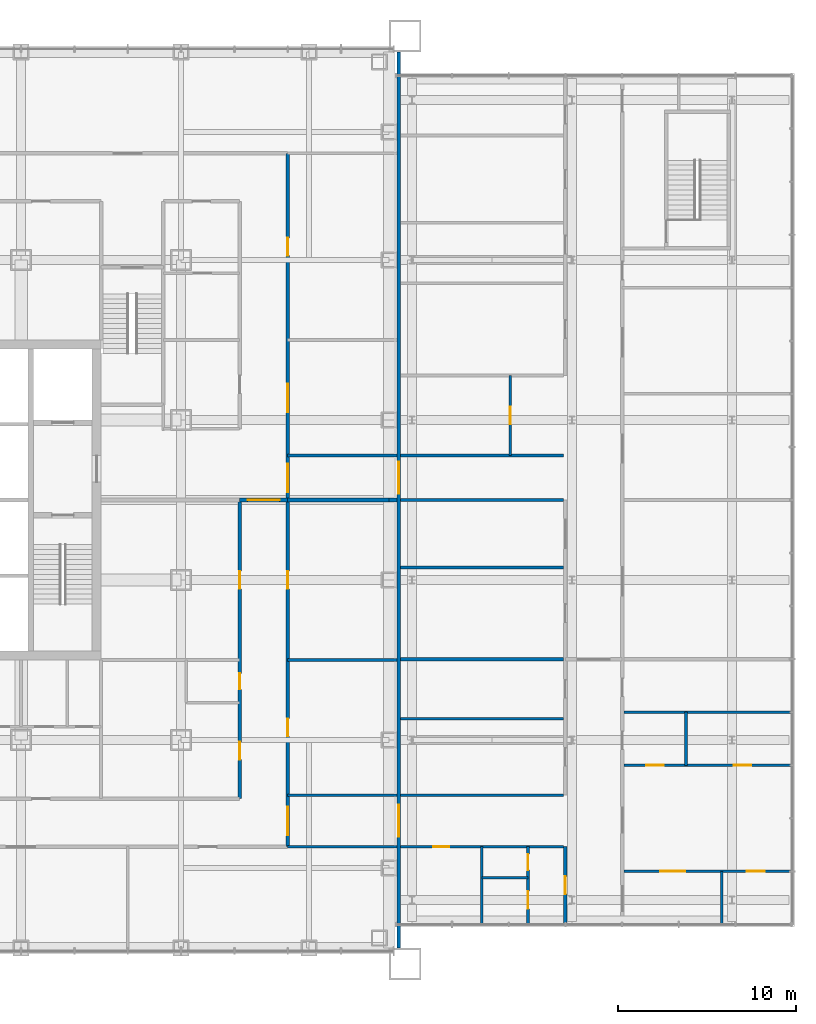
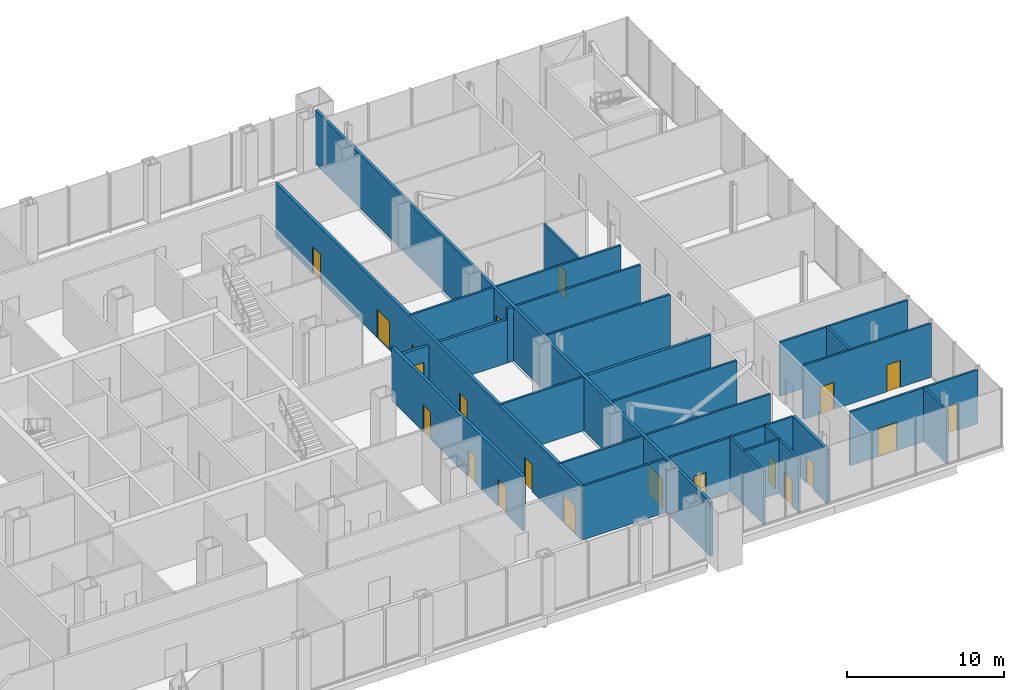
# One storey, part 19 of 25: 27 walls, 21 doors, 21 openings.
"""IFC4 building model written with IfcOpenShell, lengths in metres."""

from ifc_helpers import new_model, si_unit, direction, frame, frame_2d, origin, place, context, subcontext, project, spatial, rectangle, extrude, material, layer, layer_set, type_object, element, fill, save


model = new_model("IFC4")

# Units and contexts
model_context = context("Model", 3, precision=1e-05, world=origin(), true_north=direction((0.0, 1.0)))
body_context = subcontext(model_context, "Body", "Model", "MODEL_VIEW")
ifc_project = project(units=[si_unit("LENGTHUNIT", "METRE"), si_unit("AREAUNIT", "SQUARE_METRE"), si_unit("VOLUMEUNIT", "CUBIC_METRE"), si_unit("PLANEANGLEUNIT", "RADIAN"), si_unit("MASSUNIT", "GRAM", prefix="KILO")], contexts=[model_context])

# Site, building, storey
site_placement = place(None, origin())
site = spatial("IfcSite", under=ifc_project, at=site_placement, CompositionType="ELEMENT")
building_placement = place(site_placement, origin())
building = spatial("IfcBuilding", under=site, at=building_placement, Name="Malebo Sky Hospital", CompositionType="ELEMENT")
storey_placement = place(building_placement, frame((0.0, 0.0, 16.5)))
storey = spatial("IfcBuildingStorey", under=building, at=storey_placement, Name="L03", CompositionType="ELEMENT", Elevation=16.5)

# Wall, openings, doors
ifc_material_1 = material(Name="Gypsum board on steel studs", Category="steel")
ifc_layer_1 = layer(ifc_material_1, 0.199951171875)
ifc_layer_set_1 = layer_set([ifc_layer_1], Name="CORRIDOR WALL 200")
wall_type_1 = type_object("IfcWallType", Name="CORRIDOR WALL 200", PredefinedType="PARTITIONING", material=ifc_layer_set_1)
wall_1_placement = place(storey_placement, frame((79.5, 81.5, 0.0), z_axis=(0.0, 0.0, 1.0), x_axis=(0.0, -1.0, 0.0)))
wall_1 = element("IfcWall", 1, at=wall_1_placement, inside=storey, type_object=wall_type_1, Name="Corridor Wall 200 ECO", PredefinedType="PARTITIONING", context=body_context, shape_type="SweptSolid", body=[
    extrude(rectangle(XDim=39.0, YDim=0.199951171875, at=frame_2d((19.5, 0.0))), origin(), (0.0, 0.0, 1.0), 4.199951171875),
])
opening_1_placement = place(wall_1_placement, frame((4.75, 0.0, 0.0)))
opening_1 = element("IfcOpeningElement", 2, at=opening_1_placement, cuts=wall_1, Name="Opening D03", PredefinedType="OPENING", context=body_context, shape_type="SweptSolid", body=[
    extrude(rectangle(XDim=1.0, YDim=2.10009765625, at=frame_2d((0.5, 1.050048828125))), frame((0.0, 0.10986328125, 0.0), z_axis=(0.0, -1.0, 0.0), x_axis=(1.0, 0.0, 0.0)), (0.0, 0.0, 1.0), 0.219970703125),
])
opening_2_placement = place(wall_1_placement, frame((12.949951171875, 0.0, 0.0)))
opening_2 = element("IfcOpeningElement", 3, at=opening_2_placement, cuts=wall_1, Name="Opening D14", PredefinedType="OPENING", context=body_context, shape_type="SweptSolid", body=[
    extrude(rectangle(XDim=1.60009765625, YDim=2.199951171875, at=frame_2d((0.800048828125, 1.10009765625))), frame((0.0, 0.10986328125, 0.0), z_axis=(0.0, -1.0, 0.0), x_axis=(1.0, 0.0, 0.0)), (0.0, 0.0, 1.0), 0.219970703125),
])
opening_3_placement = place(wall_1_placement, frame((17.449951171875, 0.0, 0.0)))
opening_3 = element("IfcOpeningElement", 4, at=opening_3_placement, cuts=wall_1, Name="Opening D14", PredefinedType="OPENING", context=body_context, shape_type="SweptSolid", body=[
    extrude(rectangle(XDim=1.60009765625, YDim=2.199951171875, at=frame_2d((0.800048828125, 1.10009765625))), frame((0.0, 0.10986328125, 0.0), z_axis=(0.0, -1.0, 0.0), x_axis=(1.0, 0.0, 0.0)), (0.0, 0.0, 1.0), 0.219970703125),
])
opening_4_placement = place(wall_1_placement, frame((23.5, 0.0, 0.0)))
opening_4 = element("IfcOpeningElement", 5, at=opening_4_placement, cuts=wall_1, Name="Opening D03", PredefinedType="OPENING", context=body_context, shape_type="SweptSolid", body=[
    extrude(rectangle(XDim=1.0, YDim=2.10009765625, at=frame_2d((0.5, 1.050048828125))), frame((0.0, 0.10986328125, 0.0), z_axis=(0.0, -1.0, 0.0), x_axis=(1.0, 0.0, 0.0)), (0.0, 0.0, 1.0), 0.219970703125),
])
opening_5_placement = place(wall_1_placement, frame((31.800048828125, 0.0, 0.0)))
opening_5 = element("IfcOpeningElement", 6, at=opening_5_placement, cuts=wall_1, Name="Opening D03", PredefinedType="OPENING", context=body_context, shape_type="SweptSolid", body=[
    extrude(rectangle(XDim=1.0, YDim=2.10009765625, at=frame_2d((0.5, 1.050048828125))), frame((0.0, 0.10986328125, 0.0), z_axis=(0.0, -1.0, 0.0), x_axis=(1.0, 0.0, 0.0)), (0.0, 0.0, 1.0), 0.219970703125),
])
opening_6_placement = place(wall_1_placement, frame((36.75, 0.0, 0.0)))
opening_6 = element("IfcOpeningElement", 7, at=opening_6_placement, cuts=wall_1, Name="Opening D14", PredefinedType="OPENING", context=body_context, shape_type="SweptSolid", body=[
    extrude(rectangle(XDim=1.60009765625, YDim=2.199951171875, at=frame_2d((0.800048828125, 1.10009765625))), frame((0.0, 0.10986328125, 0.0), z_axis=(0.0, -1.0, 0.0), x_axis=(1.0, 0.0, 0.0)), (0.0, 0.0, 1.0), 0.219970703125),
])
ifc_material_2 = material(Name="Hardwood-faced door leaf in steel frame", Category="steel")
door_type_1 = type_object("IfcDoorType", Name="DEPARTMENT DOOR PAIR 1600", OperationType="DOUBLE_DOOR_DOUBLE_SWING", PredefinedType="DOOR", material=ifc_material_2)
door_1_placement = place(opening_2_placement, origin())
door_1 = element("IfcDoor", 8, at=door_1_placement, inside=storey, type_object=door_type_1, Name="Day surgery waiting area door", OperationType="DOUBLE_DOOR_DOUBLE_SWING", OverallHeight=2.199951171875, OverallWidth=1.60009765625, PredefinedType="DOOR", context=body_context, shape_type="SweptSolid", body=[
    extrude(rectangle(XDim=1.60009765625, YDim=2.199951171875, at=frame_2d((0.800048828125, 1.10009765625))), frame((0.0, 0.02490234375, 0.0), z_axis=(0.0, -1.0, 0.0), x_axis=(1.0, 0.0, 0.0)), (0.0, 0.0, 1.0), 0.050048828125),
])
fill(opening_2, door_1)
door_2_placement = place(opening_3_placement, origin())
door_2 = element("IfcDoor", 9, at=door_2_placement, inside=storey, type_object=door_type_1, Name="Link corridor door pair", OperationType="DOUBLE_DOOR_DOUBLE_SWING", OverallHeight=2.199951171875, OverallWidth=1.60009765625, PredefinedType="DOOR", context=body_context, shape_type="SweptSolid", body=[
    extrude(rectangle(XDim=1.60009765625, YDim=2.199951171875, at=frame_2d((0.800048828125, 1.10009765625))), frame((0.0, 0.02490234375, 0.0), z_axis=(0.0, -1.0, 0.0), x_axis=(1.0, 0.0, 0.0)), (0.0, 0.0, 1.0), 0.050048828125),
])
fill(opening_3, door_2)
door_3_placement = place(opening_6_placement, origin())
door_3 = element("IfcDoor", 10, at=door_3_placement, inside=storey, type_object=door_type_1, Name="Link corridor door pair", OperationType="DOUBLE_DOOR_DOUBLE_SWING", OverallHeight=2.199951171875, OverallWidth=1.60009765625, PredefinedType="DOOR", context=body_context, shape_type="SweptSolid", body=[
    extrude(rectangle(XDim=1.60009765625, YDim=2.199951171875, at=frame_2d((0.800048828125, 1.10009765625))), frame((0.0, 0.02490234375, 0.0), z_axis=(0.0, -1.0, 0.0), x_axis=(1.0, 0.0, 0.0)), (0.0, 0.0, 1.0), 0.050048828125),
])
fill(opening_6, door_3)
door_type_2 = type_object("IfcDoorType", Name="ROOM DOOR 1000", OperationType="SINGLE_SWING_LEFT", PredefinedType="DOOR", material=ifc_material_2)
door_4_placement = place(opening_1_placement, origin())
door_4 = element("IfcDoor", 11, at=door_4_placement, inside=storey, type_object=door_type_2, Name="Day surgery changing room door", OperationType="SINGLE_SWING_LEFT", OverallHeight=2.10009765625, OverallWidth=1.0, PredefinedType="DOOR", context=body_context, shape_type="SweptSolid", body=[
    extrude(rectangle(XDim=1.0, YDim=2.10009765625, at=frame_2d((0.5, 1.050048828125))), frame((0.0, 0.02490234375, 0.0), z_axis=(0.0, -1.0, 0.0), x_axis=(1.0, 0.0, 0.0)), (0.0, 0.0, 1.0), 0.050048828125),
])
fill(opening_1, door_4)
door_5_placement = place(opening_4_placement, origin())
door_5 = element("IfcDoor", 12, at=door_5_placement, inside=storey, type_object=door_type_2, Name="Day surgery interview room door", OperationType="SINGLE_SWING_LEFT", OverallHeight=2.10009765625, OverallWidth=1.0, PredefinedType="DOOR", context=body_context, shape_type="SweptSolid", body=[
    extrude(rectangle(XDim=1.0, YDim=2.10009765625, at=frame_2d((0.5, 1.050048828125))), frame((0.0, 0.02490234375, 0.0), z_axis=(0.0, -1.0, 0.0), x_axis=(1.0, 0.0, 0.0)), (0.0, 0.0, 1.0), 0.050048828125),
])
fill(opening_4, door_5)
door_6_placement = place(opening_5_placement, origin())
door_6 = element("IfcDoor", 13, at=door_6_placement, inside=storey, type_object=door_type_2, Name="Day surgery store door", OperationType="SINGLE_SWING_LEFT", OverallHeight=2.10009765625, OverallWidth=1.0, PredefinedType="DOOR", context=body_context, shape_type="SweptSolid", body=[
    extrude(rectangle(XDim=1.0, YDim=2.10009765625, at=frame_2d((0.5, 1.050048828125))), frame((0.0, 0.02490234375, 0.0), z_axis=(0.0, -1.0, 0.0), x_axis=(1.0, 0.0, 0.0)), (0.0, 0.0, 1.0), 0.050048828125),
])
fill(opening_5, door_6)

wall_2_placement = place(storey_placement, frame((76.800048828125, 62.0, 0.0), z_axis=(0.0, 0.0, 1.0), x_axis=(0.0, -1.0, 0.0)))
wall_2 = element("IfcWall", 14, at=wall_2_placement, inside=storey, type_object=wall_type_1, Name="Corridor Wall 200 ECI2", PredefinedType="PARTITIONING", context=body_context, shape_type="SweptSolid", body=[
    extrude(rectangle(XDim=16.800048828125, YDim=0.199951171875, at=frame_2d((8.39990234375, 0.0))), origin(), (0.0, 0.0, 1.0), 4.199951171875),
])
opening_7_placement = place(wall_2_placement, frame((4.0, 0.0, 0.0)))
opening_7 = element("IfcOpeningElement", 15, at=opening_7_placement, cuts=wall_2, Name="Opening D03", PredefinedType="OPENING", context=body_context, shape_type="SweptSolid", body=[
    extrude(rectangle(XDim=1.0, YDim=2.10009765625, at=frame_2d((0.5, 1.050048828125))), frame((0.0, 0.10986328125, 0.0), z_axis=(0.0, -1.0, 0.0), x_axis=(1.0, 0.0, 0.0)), (0.0, 0.0, 1.0), 0.219970703125),
])
opening_8_placement = place(wall_2_placement, frame((9.75, 0.0, 0.0)))
opening_8 = element("IfcOpeningElement", 16, at=opening_8_placement, cuts=wall_2, Name="Opening D04", PredefinedType="OPENING", context=body_context, shape_type="SweptSolid", body=[
    extrude(rectangle(XDim=0.89990234375, YDim=2.10009765625, at=frame_2d((0.449951171875, 1.050048828125))), frame((0.0, 0.10986328125, 0.0), z_axis=(0.0, -1.0, 0.0), x_axis=(1.0, 0.0, 0.0)), (0.0, 0.0, 1.0), 0.219970703125),
])
opening_9_placement = place(wall_2_placement, frame((13.60009765625, 0.0, 0.0)))
opening_9 = element("IfcOpeningElement", 17, at=opening_9_placement, cuts=wall_2, Name="Opening D03", PredefinedType="OPENING", context=body_context, shape_type="SweptSolid", body=[
    extrude(rectangle(XDim=1.0, YDim=2.10009765625, at=frame_2d((0.5, 1.050048828125))), frame((0.0, 0.10986328125, 0.0), z_axis=(0.0, -1.0, 0.0), x_axis=(1.0, 0.0, 0.0)), (0.0, 0.0, 1.0), 0.219970703125),
])
door_7_placement = place(opening_7_placement, origin())
door_7 = element("IfcDoor", 18, at=door_7_placement, inside=storey, type_object=door_type_2, Name="Equipment store door", OperationType="SINGLE_SWING_LEFT", OverallHeight=2.10009765625, OverallWidth=1.0, PredefinedType="DOOR", context=body_context, shape_type="SweptSolid", body=[
    extrude(rectangle(XDim=1.0, YDim=2.10009765625, at=frame_2d((0.5, 1.050048828125))), frame((0.0, 0.02490234375, 0.0), z_axis=(0.0, -1.0, 0.0), x_axis=(1.0, 0.0, 0.0)), (0.0, 0.0, 1.0), 0.050048828125),
])
fill(opening_7, door_7)
door_8_placement = place(opening_9_placement, origin())
door_8 = element("IfcDoor", 19, at=door_8_placement, inside=storey, type_object=door_type_2, Name="Cleaning equipment store door", OperationType="SINGLE_SWING_RIGHT", OverallHeight=2.10009765625, OverallWidth=1.0, PredefinedType="DOOR", context=body_context, shape_type="SweptSolid", body=[
    extrude(rectangle(XDim=1.0, YDim=2.10009765625, at=frame_2d((0.5, 1.050048828125))), frame((0.0, 0.02490234375, 0.0), z_axis=(0.0, -1.0, 0.0), x_axis=(1.0, 0.0, 0.0)), (0.0, 0.0, 1.0), 0.050048828125),
])
fill(opening_9, door_8)
door_type_3 = type_object("IfcDoorType", Name="ROOM DOOR 900", OperationType="SINGLE_SWING_LEFT", PredefinedType="DOOR", material=ifc_material_2)
door_9_placement = place(opening_8_placement, origin())
door_9 = element("IfcDoor", 20, at=door_9_placement, inside=storey, type_object=door_type_3, Name="Cleaner's room door", OperationType="SINGLE_SWING_LEFT", OverallHeight=2.10009765625, OverallWidth=0.89990234375, PredefinedType="DOOR", context=body_context, shape_type="SweptSolid", body=[
    extrude(rectangle(XDim=0.89990234375, YDim=2.10009765625, at=frame_2d((0.449951171875, 1.050048828125))), frame((0.0, 0.02490234375, 0.0), z_axis=(0.0, -1.0, 0.0), x_axis=(1.0, 0.0, 0.0)), (0.0, 0.0, 1.0), 0.050048828125),
])
fill(opening_8, door_9)

# Wall, opening, door
wall_3_placement = place(storey_placement, frame((95.117919921875, 38.14990234375, 0.0), z_axis=(0.0, 0.0, 1.0), x_axis=(0.0, 1.0, 0.0)))
wall_3 = element("IfcWall", 21, at=wall_3_placement, inside=storey, type_object=wall_type_1, Name="Corridor Wall 200 EWC2A", PredefinedType="PARTITIONING", context=body_context, shape_type="SweptSolid", body=[
    extrude(rectangle(XDim=4.35009765625, YDim=0.199951171875, at=frame_2d((2.175048828125, 0.0))), origin(), (0.0, 0.0, 1.0), 4.199951171875),
])
opening_10_placement = place(wall_3_placement, frame((1.675048828125, 0.0, 0.0)))
opening_10 = element("IfcOpeningElement", 22, at=opening_10_placement, cuts=wall_3, Name="Opening D03", PredefinedType="OPENING", context=body_context, shape_type="SweptSolid", body=[
    extrude(rectangle(XDim=1.0, YDim=2.10009765625, at=frame_2d((0.5, 1.050048828125))), frame((0.0, 0.10986328125, 0.0), z_axis=(0.0, -1.0, 0.0), x_axis=(1.0, 0.0, 0.0)), (0.0, 0.0, 1.0), 0.219970703125),
])
door_10_placement = place(opening_10_placement, origin())
door_10 = element("IfcDoor", 23, at=door_10_placement, inside=storey, type_object=door_type_2, Name="WC vestibule door", OperationType="SINGLE_SWING_RIGHT", OverallHeight=2.10009765625, OverallWidth=1.0, PredefinedType="DOOR", context=body_context, shape_type="SweptSolid", body=[
    extrude(rectangle(XDim=1.0, YDim=2.10009765625, at=frame_2d((0.5, 1.050048828125))), frame((0.0, 0.02490234375, 0.0), z_axis=(0.0, -1.0, 0.0), x_axis=(1.0, 0.0, 0.0)), (0.0, 0.0, 1.0), 0.050048828125),
])
fill(opening_10, door_10)

# Wall, openings, doors
ifc_material_3 = material(Name="Concrete blockwork", Category="masonry")
ifc_layer_2 = layer(ifc_material_3, 0.199951171875)
ifc_layer_set_2 = layer_set([ifc_layer_2], Name="MOVEMENT JOINT WALL 200")
wall_type_2 = type_object("IfcWallType", Name="MOVEMENT JOINT WALL 200", PredefinedType="SOLIDWALL", material=ifc_layer_set_2)
wall_4_placement = place(storey_placement, frame((85.75, 36.800048828125, 0.0), z_axis=(0.0, 0.0, 1.0), x_axis=(0.0, 1.0, 0.0)))
wall_4 = element("IfcWall", 24, at=wall_4_placement, inside=storey, type_object=wall_type_2, Name="Movement Joint Wall 200 EJ", PredefinedType="SOLIDWALL", context=body_context, shape_type="SweptSolid", body=[
    extrude(rectangle(XDim=50.39990234375, YDim=0.199951171875, at=frame_2d((25.199951171875, 0.0))), origin(), (0.0, 0.0, 1.0), 4.199951171875),
])
opening_11_placement = place(wall_4_placement, frame((6.25, 0.0, 0.0)))
opening_11 = element("IfcOpeningElement", 25, at=opening_11_placement, cuts=wall_4, Name="Opening D28", PredefinedType="OPENING", context=body_context, shape_type="SweptSolid", body=[
    extrude(rectangle(XDim=1.800048828125, YDim=2.199951171875, at=frame_2d((0.89990234375, 1.10009765625))), frame((0.0, 0.10986328125, 0.0), z_axis=(0.0, -1.0, 0.0), x_axis=(1.0, 0.0, 0.0)), (0.0, 0.0, 1.0), 0.219970703125),
])
opening_12_placement = place(wall_4_placement, frame((25.550048828125, 0.0, 0.0)))
opening_12 = element("IfcOpeningElement", 26, at=opening_12_placement, cuts=wall_4, Name="Opening D28", PredefinedType="OPENING", context=body_context, shape_type="SweptSolid", body=[
    extrude(rectangle(XDim=1.800048828125, YDim=2.199951171875, at=frame_2d((0.89990234375, 1.10009765625))), frame((0.0, 0.10986328125, 0.0), z_axis=(0.0, -1.0, 0.0), x_axis=(1.0, 0.0, 0.0)), (0.0, 0.0, 1.0), 0.219970703125),
])
door_type_4 = type_object("IfcDoorType", Name="FIRE DOOR PAIR 1800", OperationType="DOUBLE_DOOR_SINGLE_SWING", PredefinedType="DOOR", material=ifc_material_2)
door_11_placement = place(opening_11_placement, origin())
door_11 = element("IfcDoor", 27, at=door_11_placement, inside=storey, type_object=door_type_4, Name="Link fire door pair", OperationType="DOUBLE_DOOR_SINGLE_SWING", OverallHeight=2.199951171875, OverallWidth=1.800048828125, PredefinedType="DOOR", context=body_context, shape_type="SweptSolid", body=[
    extrude(rectangle(XDim=1.800048828125, YDim=2.199951171875, at=frame_2d((0.89990234375, 1.10009765625))), frame((0.0, 0.02490234375, 0.0), z_axis=(0.0, -1.0, 0.0), x_axis=(1.0, 0.0, 0.0)), (0.0, 0.0, 1.0), 0.050048828125),
])
fill(opening_11, door_11)
door_12_placement = place(opening_12_placement, origin())
door_12 = element("IfcDoor", 28, at=door_12_placement, inside=storey, type_object=door_type_4, Name="Link fire door pair", OperationType="DOUBLE_DOOR_SINGLE_SWING", OverallHeight=2.199951171875, OverallWidth=1.800048828125, PredefinedType="DOOR", context=body_context, shape_type="SweptSolid", body=[
    extrude(rectangle(XDim=1.800048828125, YDim=2.199951171875, at=frame_2d((0.89990234375, 1.10009765625))), frame((0.0, 0.02490234375, 0.0), z_axis=(0.0, -1.0, 0.0), x_axis=(1.0, 0.0, 0.0)), (0.0, 0.0, 1.0), 0.050048828125),
])
fill(opening_12, door_12)

# Walls
ifc_layer_3 = layer(ifc_material_1, 0.14990234375)
ifc_layer_set_3 = layer_set([ifc_layer_3], Name="PARTITION 150")
wall_type_3 = type_object("IfcWallType", Name="PARTITION 150", PredefinedType="PARTITIONING", material=ifc_layer_set_3)
for number, where, z_axis, x_axis, name in (
    (29, (79.5, 64.5, 0.0), (0.0, 0.0, 1.0), (1.0, 0.0, 0.0), "Partition 150 EP-2.5"),
    (30, (79.5, 53.0, 0.0), (0.0, 0.0, 1.0), (1.0, 0.0, 0.0), "Partition 150 EP+9.0"),
    (31, (79.5, 45.39990234375, 0.0), (0.0, 0.0, 1.0), (1.0, 0.0, 0.0), "Partition 150 EP+16.6"),
    (32, (79.5, 42.5, 0.0), (0.0, 0.0, 1.0), (1.0, 0.0, 0.0), "Partition 150 EP+19.5"),
):
    element("IfcWall", number, at=place(storey_placement, frame(where, z_axis=z_axis, x_axis=x_axis)), inside=storey, type_object=wall_type_3, Name=name, PredefinedType="PARTITIONING", context=body_context, shape_type="SweptSolid", body=[
        extrude(rectangle(XDim=6.14990234375, YDim=0.14990234375, at=frame_2d((3.074951171875, 0.0))), origin(), (0.0, 0.0, 1.0), 4.199951171875),
    ])

# Wall, openings, doors
wall_5_placement = place(storey_placement, frame((107.85009765625, 41.109375, 0.0), z_axis=(0.0, 0.0, 1.0), x_axis=(-1.0, 0.0, 0.0)))
wall_5 = element("IfcWall", 33, at=wall_5_placement, inside=storey, type_object=wall_type_3, Name="Partition 150 EOH00", PredefinedType="PARTITIONING", context=body_context, shape_type="SweptSolid", body=[
    extrude(rectangle(XDim=9.443115234375, YDim=0.14990234375, at=frame_2d((4.7216796875, 0.0))), origin(), (0.0, 0.0, 1.0), 4.199951171875),
])
opening_13_placement = place(wall_5_placement, frame((5.992919921875, 0.0, 0.0)))
opening_13 = element("IfcOpeningElement", 34, at=opening_13_placement, cuts=wall_5, Name="Opening D25", PredefinedType="OPENING", context=body_context, shape_type="SweptSolid", body=[
    extrude(rectangle(XDim=1.39990234375, YDim=2.199951171875, at=frame_2d((0.699951171875, 1.10009765625))), frame((0.0, 0.0849609375, 0.0), z_axis=(0.0, -1.0, 0.0), x_axis=(1.0, 0.0, 0.0)), (0.0, 0.0, 1.0), 0.169921875),
])
opening_14_placement = place(wall_5_placement, frame((1.521484375, 0.0, 0.0)))
opening_14 = element("IfcOpeningElement", 35, at=opening_14_placement, cuts=wall_5, Name="Opening D03", PredefinedType="OPENING", context=body_context, shape_type="SweptSolid", body=[
    extrude(rectangle(XDim=1.0, YDim=2.10009765625, at=frame_2d((0.5, 1.050048828125))), frame((0.0, 0.0849609375, 0.0), z_axis=(0.0, -1.0, 0.0), x_axis=(1.0, 0.0, 0.0)), (0.0, 0.0, 1.0), 0.169921875),
])
door_type_5 = type_object("IfcDoorType", Name="BED DOOR PAIR 1400", OperationType="DOUBLE_DOOR_SINGLE_SWING", PredefinedType="DOOR", material=ifc_material_2)
door_13_placement = place(opening_13_placement, origin())
door_13 = element("IfcDoor", 36, at=door_13_placement, inside=storey, type_object=door_type_5, Name="Anaesthetic room inner door", OperationType="DOUBLE_DOOR_SINGLE_SWING", OverallHeight=2.199951171875, OverallWidth=1.39990234375, PredefinedType="DOOR", context=body_context, shape_type="SweptSolid", body=[
    extrude(rectangle(XDim=1.39990234375, YDim=2.199951171875, at=frame_2d((0.699951171875, 1.10009765625))), frame((0.0, 0.02490234375, 0.0), z_axis=(0.0, -1.0, 0.0), x_axis=(1.0, 0.0, 0.0)), (0.0, 0.0, 1.0), 0.050048828125),
])
fill(opening_13, door_13)
door_14_placement = place(opening_14_placement, origin())
door_14 = element("IfcDoor", 37, at=door_14_placement, inside=storey, type_object=door_type_2, Name="Dirty utility room inner door", OperationType="SINGLE_SWING_RIGHT", OverallHeight=2.10009765625, OverallWidth=1.0, PredefinedType="DOOR", context=body_context, shape_type="SweptSolid", body=[
    extrude(rectangle(XDim=1.0, YDim=2.10009765625, at=frame_2d((0.5, 1.050048828125))), frame((0.0, 0.02490234375, 0.0), z_axis=(0.0, -1.0, 0.0), x_axis=(1.0, 0.0, 0.0)), (0.0, 0.0, 1.0), 0.050048828125),
])
fill(opening_14, door_14)

wall_6_placement = place(storey_placement, frame((107.85009765625, 47.078125, 0.0), z_axis=(0.0, 0.0, 1.0), x_axis=(-1.0, 0.0, 0.0)))
wall_6 = element("IfcWall", 38, at=wall_6_placement, inside=storey, type_object=wall_type_3, Name="Partition 150 EOH01", PredefinedType="PARTITIONING", context=body_context, shape_type="SweptSolid", body=[
    extrude(rectangle(XDim=9.443115234375, YDim=0.14990234375, at=frame_2d((4.7216796875, 0.0))), origin(), (0.0, 0.0, 1.0), 4.199951171875),
])
opening_15_placement = place(wall_6_placement, frame((7.193115234375, 0.0, 0.0)))
opening_15 = element("IfcOpeningElement", 39, at=opening_15_placement, cuts=wall_6, Name="Opening D03", PredefinedType="OPENING", context=body_context, shape_type="SweptSolid", body=[
    extrude(rectangle(XDim=1.0, YDim=2.10009765625, at=frame_2d((0.5, 1.050048828125))), frame((0.0, 0.0849609375, 0.0), z_axis=(0.0, -1.0, 0.0), x_axis=(1.0, 0.0, 0.0)), (0.0, 0.0, 1.0), 0.169921875),
])
opening_16_placement = place(wall_6_placement, frame((2.271484375, 0.0, 0.0)))
opening_16 = element("IfcOpeningElement", 40, at=opening_16_placement, cuts=wall_6, Name="Opening D03", PredefinedType="OPENING", context=body_context, shape_type="SweptSolid", body=[
    extrude(rectangle(XDim=1.0, YDim=2.10009765625, at=frame_2d((0.5, 1.050048828125))), frame((0.0, 0.0849609375, 0.0), z_axis=(0.0, -1.0, 0.0), x_axis=(1.0, 0.0, 0.0)), (0.0, 0.0, 1.0), 0.169921875),
])
door_15_placement = place(opening_15_placement, origin())
door_15 = element("IfcDoor", 41, at=door_15_placement, inside=storey, type_object=door_type_2, Name="Scrub room inner door", OperationType="SINGLE_SWING_LEFT", OverallHeight=2.10009765625, OverallWidth=1.0, PredefinedType="DOOR", context=body_context, shape_type="SweptSolid", body=[
    extrude(rectangle(XDim=1.0, YDim=2.10009765625, at=frame_2d((0.5, 1.050048828125))), frame((0.0, 0.02490234375, 0.0), z_axis=(0.0, -1.0, 0.0), x_axis=(1.0, 0.0, 0.0)), (0.0, 0.0, 1.0), 0.050048828125),
])
fill(opening_15, door_15)
door_16_placement = place(opening_16_placement, origin())
door_16 = element("IfcDoor", 42, at=door_16_placement, inside=storey, type_object=door_type_2, Name="Preparation room inner door", OperationType="SINGLE_SWING_LEFT", OverallHeight=2.10009765625, OverallWidth=1.0, PredefinedType="DOOR", context=body_context, shape_type="SweptSolid", body=[
    extrude(rectangle(XDim=1.0, YDim=2.10009765625, at=frame_2d((0.5, 1.050048828125))), frame((0.0, 0.02490234375, 0.0), z_axis=(0.0, -1.0, 0.0), x_axis=(1.0, 0.0, 0.0)), (0.0, 0.0, 1.0), 0.050048828125),
])
fill(opening_16, door_16)

# Walls
wall_7_placement = place(storey_placement, frame((107.85009765625, 50.0625, 0.0), z_axis=(0.0, 0.0, 1.0), x_axis=(-1.0, 0.0, 0.0)))
element("IfcWall", 43, at=wall_7_placement, inside=storey, type_object=wall_type_3, Name="Partition 150 EOH02", PredefinedType="PARTITIONING", context=body_context, shape_type="SweptSolid", body=[
    extrude(rectangle(XDim=9.443115234375, YDim=0.14990234375, at=frame_2d((4.7216796875, 0.0))), origin(), (0.0, 0.0, 1.0), 4.199951171875),
])
wall_8_placement = place(storey_placement, frame((103.906982421875, 38.14990234375, 0.0), z_axis=(0.0, 0.0, 1.0), x_axis=(0.0, 1.0, 0.0)))
element("IfcWall", 44, at=wall_8_placement, inside=storey, type_object=wall_type_3, Name="Partition 150 EOV06", PredefinedType="PARTITIONING", context=body_context, shape_type="SweptSolid", body=[
    extrude(rectangle(XDim=2.95947265625, YDim=0.14990234375, at=frame_2d((1.479736328125, 0.0))), origin(), (0.0, 0.0, 1.0), 4.199951171875),
])
wall_9_placement = place(storey_placement, frame((101.906982421875, 47.078125, 0.0), z_axis=(0.0, 0.0, 1.0), x_axis=(0.0, 1.0, 0.0)))
element("IfcWall", 45, at=wall_9_placement, inside=storey, type_object=wall_type_3, Name="Partition 150 EOV07", PredefinedType="PARTITIONING", context=body_context, shape_type="SweptSolid", body=[
    extrude(rectangle(XDim=2.984375, YDim=0.14990234375, at=frame_2d((1.4921875, 0.0))), origin(), (0.0, 0.0, 1.0), 4.199951171875),
])
wall_10_placement = place(storey_placement, frame((93.01806640625, 40.75, 0.0), z_axis=(0.0, 0.0, 1.0), x_axis=(-1.0, 0.0, 0.0)))
element("IfcWall", 46, at=wall_10_placement, inside=storey, type_object=wall_type_3, Name="Partition 150 EIH00", PredefinedType="PARTITIONING", context=body_context, shape_type="SweptSolid", body=[
    extrude(rectangle(XDim=2.60009765625, YDim=0.14990234375, at=frame_2d((1.300048828125, 0.0))), origin(), (0.0, 0.0, 1.0), 4.199951171875),
])

# Wall, opening, door
wall_11_placement = place(storey_placement, frame((95.01806640625, 42.5, 0.0), z_axis=(0.0, 0.0, 1.0), x_axis=(-1.0, 0.0, 0.0)))
wall_11 = element("IfcWall", 47, at=wall_11_placement, inside=storey, type_object=wall_type_3, Name="Partition 150 EIH01", PredefinedType="PARTITIONING", context=body_context, shape_type="SweptSolid", body=[
    extrude(rectangle(XDim=9.16796875, YDim=0.14990234375, at=frame_2d((4.583984375, 0.0))), origin(), (0.0, 0.0, 1.0), 4.199951171875),
])
opening_17_placement = place(wall_11_placement, frame((6.43408203125, 0.0, 0.0)))
opening_17 = element("IfcOpeningElement", 48, at=opening_17_placement, cuts=wall_11, Name="Opening D04", PredefinedType="OPENING", context=body_context, shape_type="SweptSolid", body=[
    extrude(rectangle(XDim=0.89990234375, YDim=2.10009765625, at=frame_2d((0.449951171875, 1.050048828125))), frame((0.0, 0.0849609375, 0.0), z_axis=(0.0, -1.0, 0.0), x_axis=(1.0, 0.0, 0.0)), (0.0, 0.0, 1.0), 0.169921875),
])
door_17_placement = place(opening_17_placement, origin())
door_17 = element("IfcDoor", 49, at=door_17_placement, inside=storey, type_object=door_type_3, Name="Cleaner's room inner door", OperationType="SINGLE_SWING_LEFT", OverallHeight=2.10009765625, OverallWidth=0.89990234375, PredefinedType="DOOR", context=body_context, shape_type="SweptSolid", body=[
    extrude(rectangle(XDim=0.89990234375, YDim=2.10009765625, at=frame_2d((0.449951171875, 1.050048828125))), frame((0.0, 0.02490234375, 0.0), z_axis=(0.0, -1.0, 0.0), x_axis=(1.0, 0.0, 0.0)), (0.0, 0.0, 1.0), 0.050048828125),
])
fill(opening_17, door_17)

# Walls
for number, where, z_axis, x_axis, name in (
    (50, (95.01806640625, 45.39990234375, 0.0), (0.0, 0.0, 1.0), (-1.0, 0.0, 0.0), "Partition 150 EIH02"),
    (51, (95.01806640625, 49.699951171875, 0.0), (0.0, 0.0, 1.0), (-1.0, 0.0, 0.0), "Partition 150 EIH03"),
    (52, (95.01806640625, 58.199951171875, 0.0), (0.0, 0.0, 1.0), (-1.0, 0.0, 0.0), "Partition 150 EIH05"),
    (53, (95.01806640625, 62.0, 0.0), (0.0, 0.0, 1.0), (-1.0, 0.0, 0.0), "Partition 150 EIH06"),
    (54, (95.01806640625, 64.5, 0.0), (0.0, 0.0, 1.0), (-1.0, 0.0, 0.0), "Partition 150 EIH07"),
):
    element("IfcWall", number, at=place(storey_placement, frame(where, z_axis=z_axis, x_axis=x_axis)), inside=storey, type_object=wall_type_3, Name=name, PredefinedType="PARTITIONING", context=body_context, shape_type="SweptSolid", body=[
        extrude(rectangle(XDim=9.16796875, YDim=0.14990234375, at=frame_2d((4.583984375, 0.0))), origin(), (0.0, 0.0, 1.0), 4.199951171875),
    ])

# Wall, openings, doors
wall_12_placement = place(storey_placement, frame((93.01806640625, 38.14990234375, 0.0), z_axis=(0.0, 0.0, 1.0), x_axis=(0.0, 1.0, 0.0)))
wall_12 = element("IfcWall", 55, at=wall_12_placement, inside=storey, type_object=wall_type_3, Name="Partition 150 EIV12", PredefinedType="PARTITIONING", context=body_context, shape_type="SweptSolid", body=[
    extrude(rectangle(XDim=4.35009765625, YDim=0.14990234375, at=frame_2d((2.175048828125, 0.0))), origin(), (0.0, 0.0, 1.0), 4.199951171875),
])
opening_18_placement = place(wall_12_placement, frame((0.85009765625, 0.0, 0.0)))
opening_18 = element("IfcOpeningElement", 56, at=opening_18_placement, cuts=wall_12, Name="Opening D03", PredefinedType="OPENING", context=body_context, shape_type="SweptSolid", body=[
    extrude(rectangle(XDim=1.0, YDim=2.10009765625, at=frame_2d((0.5, 1.050048828125))), frame((0.0, 0.0849609375, 0.0), z_axis=(0.0, -1.0, 0.0), x_axis=(1.0, 0.0, 0.0)), (0.0, 0.0, 1.0), 0.169921875),
])
opening_19_placement = place(wall_12_placement, frame((3.02490234375, 0.0, 0.0)))
opening_19 = element("IfcOpeningElement", 57, at=opening_19_placement, cuts=wall_12, Name="Opening D04", PredefinedType="OPENING", context=body_context, shape_type="SweptSolid", body=[
    extrude(rectangle(XDim=0.89990234375, YDim=2.10009765625, at=frame_2d((0.449951171875, 1.050048828125))), frame((0.0, 0.0849609375, 0.0), z_axis=(0.0, -1.0, 0.0), x_axis=(1.0, 0.0, 0.0)), (0.0, 0.0, 1.0), 0.169921875),
])
door_18_placement = place(opening_18_placement, origin())
door_18 = element("IfcDoor", 58, at=door_18_placement, inside=storey, type_object=door_type_2, Name="Accessible WC inner door", OperationType="SINGLE_SWING_RIGHT", OverallHeight=2.10009765625, OverallWidth=1.0, PredefinedType="DOOR", context=body_context, shape_type="SweptSolid", body=[
    extrude(rectangle(XDim=1.0, YDim=2.10009765625, at=frame_2d((0.5, 1.050048828125))), frame((0.0, 0.02490234375, 0.0), z_axis=(0.0, -1.0, 0.0), x_axis=(1.0, 0.0, 0.0)), (0.0, 0.0, 1.0), 0.050048828125),
])
fill(opening_18, door_18)
door_19_placement = place(opening_19_placement, origin())
door_19 = element("IfcDoor", 59, at=door_19_placement, inside=storey, type_object=door_type_3, Name="Staff WC inner door", OperationType="SINGLE_SWING_LEFT", OverallHeight=2.10009765625, OverallWidth=0.89990234375, PredefinedType="DOOR", context=body_context, shape_type="SweptSolid", body=[
    extrude(rectangle(XDim=0.89990234375, YDim=2.10009765625, at=frame_2d((0.449951171875, 1.050048828125))), frame((0.0, 0.02490234375, 0.0), z_axis=(0.0, -1.0, 0.0), x_axis=(1.0, 0.0, 0.0)), (0.0, 0.0, 1.0), 0.050048828125),
])
fill(opening_19, door_19)

# Wall, opening, door
wall_13_placement = place(storey_placement, frame((92.01806640625, 64.5, 0.0), z_axis=(0.0, 0.0, 1.0), x_axis=(0.0, 1.0, 0.0)))
wall_13 = element("IfcWall", 60, at=wall_13_placement, inside=storey, type_object=wall_type_3, Name="Partition 150 EIV13", PredefinedType="PARTITIONING", context=body_context, shape_type="SweptSolid", body=[
    extrude(rectangle(XDim=4.5, YDim=0.14990234375, at=frame_2d((2.25, 0.0))), origin(), (0.0, 0.0, 1.0), 4.199951171875),
])
opening_20_placement = place(wall_13_placement, frame((1.75, 0.0, 0.0)))
opening_20 = element("IfcOpeningElement", 61, at=opening_20_placement, cuts=wall_13, Name="Opening D03", PredefinedType="OPENING", context=body_context, shape_type="SweptSolid", body=[
    extrude(rectangle(XDim=1.0, YDim=2.10009765625, at=frame_2d((0.5, 1.050048828125))), frame((0.0, 0.0849609375, 0.0), z_axis=(0.0, -1.0, 0.0), x_axis=(1.0, 0.0, 0.0)), (0.0, 0.0, 1.0), 0.169921875),
])
door_20_placement = place(opening_20_placement, origin())
door_20 = element("IfcDoor", 62, at=door_20_placement, inside=storey, type_object=door_type_2, Name="Day surgery staff base inner door", OperationType="SINGLE_SWING_LEFT", OverallHeight=2.10009765625, OverallWidth=1.0, PredefinedType="DOOR", context=body_context, shape_type="SweptSolid", body=[
    extrude(rectangle(XDim=1.0, YDim=2.10009765625, at=frame_2d((0.5, 1.050048828125))), frame((0.0, 0.02490234375, 0.0), z_axis=(0.0, -1.0, 0.0), x_axis=(1.0, 0.0, 0.0)), (0.0, 0.0, 1.0), 0.050048828125),
])
fill(opening_20, door_20)

# Walls
wall_14_placement = place(storey_placement, frame((90.41796875, 38.14990234375, 0.0), z_axis=(0.0, 0.0, 1.0), x_axis=(0.0, 1.0, 0.0)))
element("IfcWall", 63, at=wall_14_placement, inside=storey, type_object=wall_type_3, Name="Partition 150 EIV14", PredefinedType="PARTITIONING", context=body_context, shape_type="SweptSolid", body=[
    extrude(rectangle(XDim=4.35009765625, YDim=0.14990234375, at=frame_2d((2.175048828125, 0.0))), origin(), (0.0, 0.0, 1.0), 4.199951171875),
])
ifc_layer_4 = layer(ifc_material_3, 0.199951171875)
ifc_layer_set_4 = layer_set([ifc_layer_4], Name="SMOKE BARRIER WALL 200")
wall_type_4 = type_object("IfcWallType", Name="SMOKE BARRIER WALL 200", PredefinedType="SOLIDWALL", material=ifc_layer_set_4)
wall_15_placement = place(storey_placement, frame((79.5, 62.0, 0.0), z_axis=(0.0, 0.0, 1.0), x_axis=(1.0, 0.0, 0.0)))
element("IfcWall", 64, at=wall_15_placement, inside=storey, type_object=wall_type_4, Name="Smoke Barrier Wall 200 EP+0.0", PredefinedType="SOLIDWALL", context=body_context, shape_type="SweptSolid", body=[
    extrude(rectangle(XDim=5.699951171875, YDim=0.199951171875, at=frame_2d((2.85009765625, 0.0))), origin(), (0.0, 0.0, 1.0), 3.39990234375),
])
wall_16_placement = place(storey_placement, frame((85.199951171875, 62.0, 0.0), z_axis=(0.0, 0.0, 1.0), x_axis=(1.0, 0.0, 0.0)))
element("IfcWall", 65, at=wall_16_placement, inside=storey, type_object=wall_type_4, Name="Smoke Barrier Wall 200 EP+0.0", PredefinedType="SOLIDWALL", context=body_context, shape_type="SweptSolid", body=[
    extrude(rectangle(XDim=0.449951171875, YDim=0.199951171875, at=frame_2d((0.22509765625, 0.0))), origin(), (0.0, 0.0, 1.0), 4.199951171875),
])

# Wall, opening, door
wall_17_placement = place(storey_placement, frame((76.800048828125, 62.0, 0.0), z_axis=(0.0, 0.0, 1.0), x_axis=(1.0, 0.0, 0.0)))
wall_17 = element("IfcWall", 66, at=wall_17_placement, inside=storey, type_object=wall_type_4, Name="Smoke Barrier Wall 200 ESB", PredefinedType="SOLIDWALL", context=body_context, shape_type="SweptSolid", body=[
    extrude(rectangle(XDim=2.699951171875, YDim=0.199951171875, at=frame_2d((1.35009765625, 0.0))), origin(), (0.0, 0.0, 1.0), 3.39990234375),
])
opening_21_placement = place(wall_17_placement, frame((0.449951171875, 0.0, 0.0)))
opening_21 = element("IfcOpeningElement", 67, at=opening_21_placement, cuts=wall_17, Name="Opening D05", PredefinedType="OPENING", context=body_context, shape_type="SweptSolid", body=[
    extrude(rectangle(XDim=1.800048828125, YDim=2.199951171875, at=frame_2d((0.89990234375, 1.10009765625))), frame((0.0, 0.10986328125, 0.0), z_axis=(0.0, -1.0, 0.0), x_axis=(1.0, 0.0, 0.0)), (0.0, 0.0, 1.0), 0.219970703125),
])
door_type_6 = type_object("IfcDoorType", Name="SMOKE DOOR PAIR 1800", OperationType="DOUBLE_DOOR_DOUBLE_SWING", PredefinedType="DOOR", material=ifc_material_2)
door_21_placement = place(opening_21_placement, origin())
door_21 = element("IfcDoor", 68, at=door_21_placement, inside=storey, type_object=door_type_6, Name="Smoke compartment door pair", OperationType="DOUBLE_DOOR_DOUBLE_SWING", OverallHeight=2.199951171875, OverallWidth=1.800048828125, PredefinedType="DOOR", context=body_context, shape_type="SweptSolid", body=[
    extrude(rectangle(XDim=1.800048828125, YDim=2.199951171875, at=frame_2d((0.89990234375, 1.10009765625))), frame((0.0, 0.02490234375, 0.0), z_axis=(0.0, -1.0, 0.0), x_axis=(1.0, 0.0, 0.0)), (0.0, 0.0, 1.0), 0.050048828125),
])
fill(opening_21, door_21)

# Wall
wall_18_placement = place(storey_placement, frame((95.01806640625, 53.046875, 0.0), z_axis=(0.0, 0.0, 1.0), x_axis=(-1.0, 0.0, 0.0)))
element("IfcWall", 69, at=wall_18_placement, inside=storey, type_object=wall_type_4, Name="Smoke Barrier Wall 200 EIH04", PredefinedType="SOLIDWALL", context=body_context, shape_type="SweptSolid", body=[
    extrude(rectangle(XDim=9.16796875, YDim=0.199951171875, at=frame_2d((4.583984375, 0.0))), origin(), (0.0, 0.0, 1.0), 4.199951171875),
])

save(model, "model.ifc")
